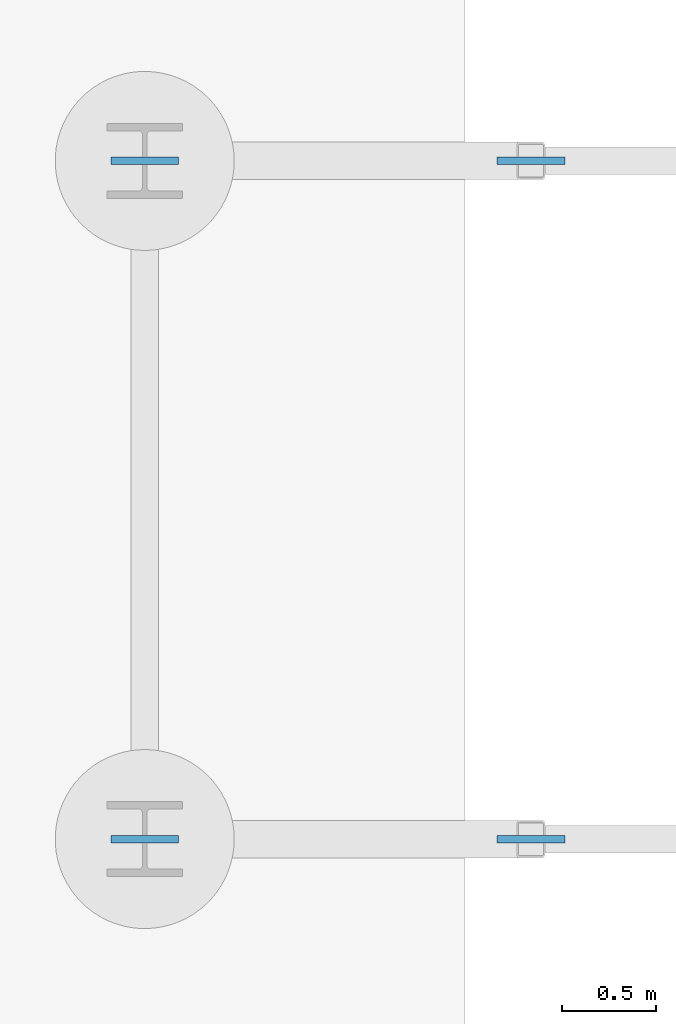
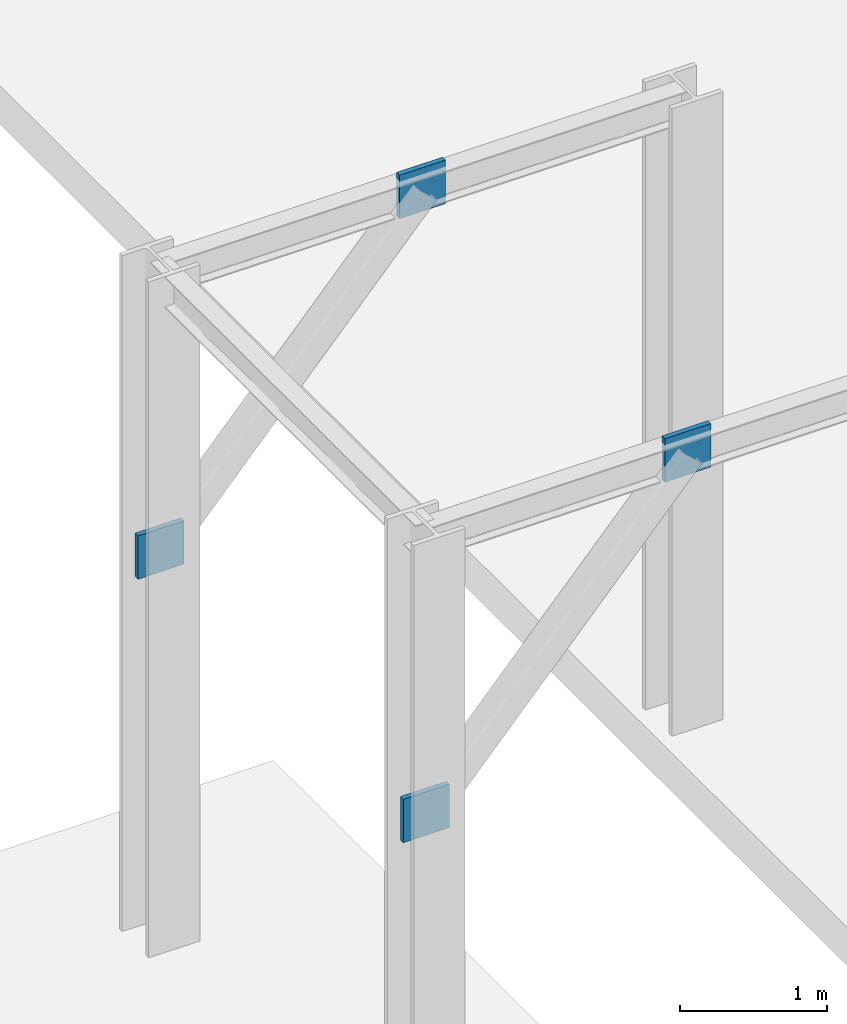
# One storey, part 19 of 28: 4 plates.
"""IFC4 building model written with IfcOpenShell, lengths in metres."""

from ifc_helpers import new_model, si_unit, direction, frame, origin, origin_2d, place, context, subcontext, project, spatial, rectangle, extrude, material, layer, layer_set, type_object, element, save


model = new_model("IFC4")

# Units and contexts
model_context = context("Model", 3, precision=1e-05, world=origin(), true_north=direction((0.0, 1.0)))
body_context = subcontext(model_context, "Body", "Model", "MODEL_VIEW")
ifc_project = project(units=[si_unit("LENGTHUNIT", "METRE"), si_unit("AREAUNIT", "SQUARE_METRE"), si_unit("VOLUMEUNIT", "CUBIC_METRE"), si_unit("PLANEANGLEUNIT", "RADIAN"), si_unit("MASSUNIT", "GRAM", prefix="KILO")], contexts=[model_context])

# Site, building, storey
site_placement = place(None, origin())
site = spatial("IfcSite", under=ifc_project, at=site_placement, CompositionType="ELEMENT")
building_placement = place(site_placement, origin())
building = spatial("IfcBuilding", under=site, at=building_placement, Name="Kazma Halo Residences", CompositionType="ELEMENT")
storey_placement = place(building_placement, origin())
storey = spatial("IfcBuildingStorey", under=building, at=storey_placement, Name="L00", CompositionType="ELEMENT", Elevation=0.0)

# Plates
ifc_material = material(Name="Steel S355", Category="steel")
ifc_layer = layer(ifc_material, 0.0400390625)
ifc_layer_set = layer_set([ifc_layer], Name="Steel S355")
plate_type = type_object("IfcPlateType", Name="PLT-GUSSET-40", PredefinedType="SHEET", material=ifc_layer_set)
for number, where, z_axis, x_axis, name in (
    (1, (2.199951171875, 40.199951171875, 2.6201171875), (0.0, 0.0, 1.0), (1.0, 0.0, 0.0), "Canopy strut lower gusset plate 1.1"),
    (2, (4.25, 40.199951171875, 4.89013671875), (0.0, 0.0, 1.0), (1.0, 0.0, 0.0), "Canopy strut upper gusset plate 1.1"),
    (3, (2.199951171875, 43.800048828125, 2.6201171875), (0.0, 0.0, 1.0), (1.0, 0.0, 0.0), "Canopy strut lower gusset plate 1.2"),
    (4, (4.25, 43.800048828125, 4.89013671875), (0.0, 0.0, 1.0), (1.0, 0.0, 0.0), "Canopy strut upper gusset plate 1.2"),
):
    element("IfcPlate", number, at=place(storey_placement, frame(where, z_axis=z_axis, x_axis=x_axis)), inside=storey, type_object=plate_type, Name=name, PredefinedType="SHEET", context=body_context, shape_type="SweptSolid", body=[
        extrude(rectangle(XDim=0.360107421875, YDim=0.0400390625, at=origin_2d()), origin(), (0.0, 0.0, 1.0), 0.360107421875),
    ])

save(model, "model.ifc")
